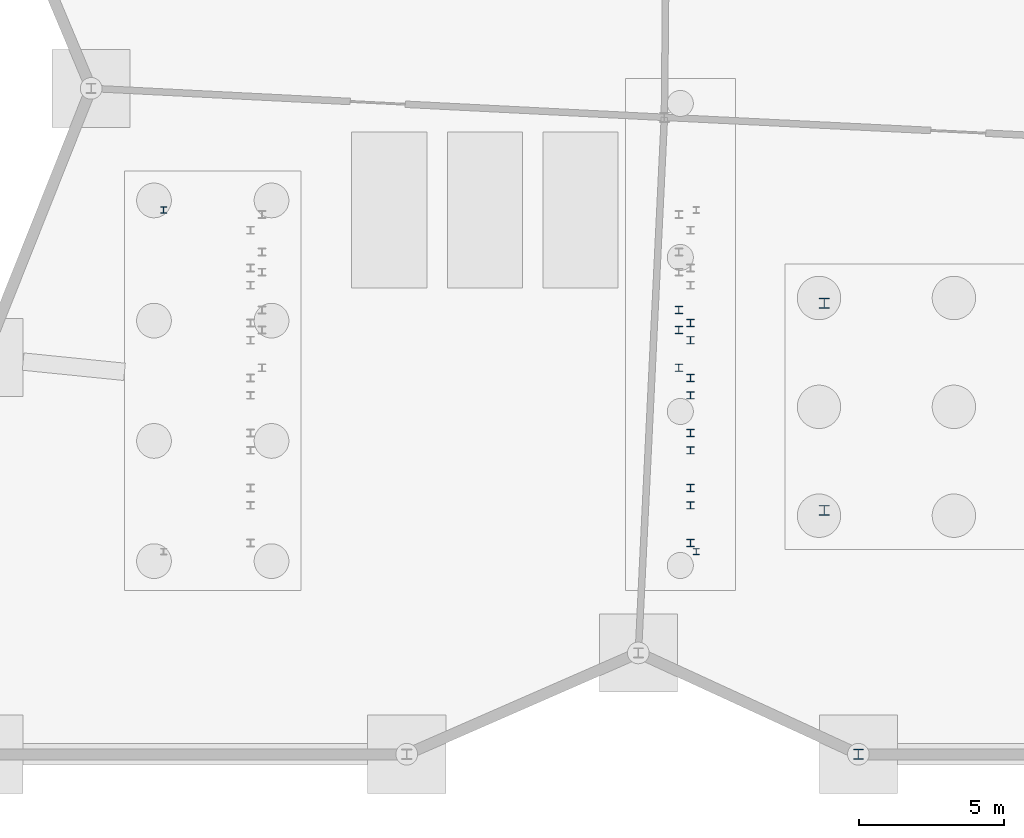
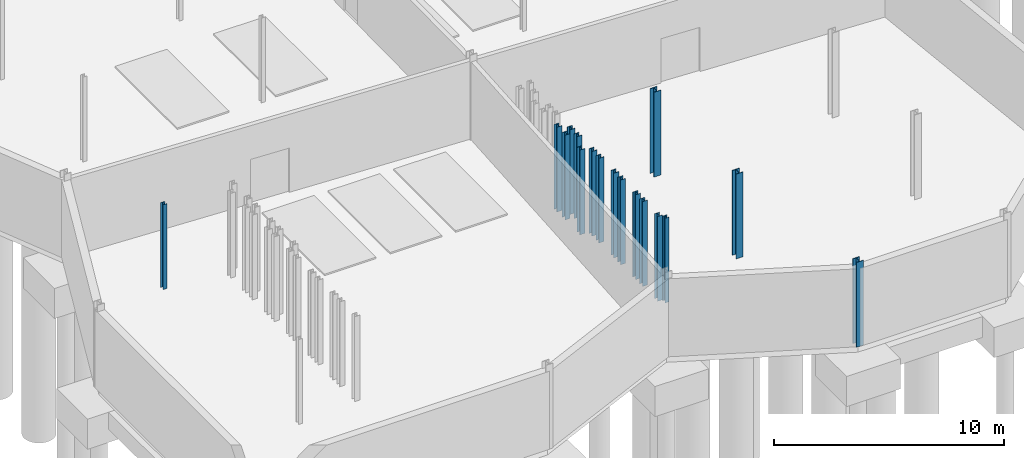
# One storey, part 5 of 37: 17 columns.
"""IFC4 building model written with IfcOpenShell, lengths in metres."""

from ifc_helpers import new_model, si_unit, direction, frame, origin, origin_2d, place, context, subcontext, project, spatial, i_section, extrude, material, material_profile, profile_set, type_object, element, save


model = new_model("IFC4")

# Units and contexts
model_context = context("Model", 3, precision=1e-05, world=origin(), true_north=direction((0.0, 1.0)))
body_context = subcontext(model_context, "Body", "Model", "MODEL_VIEW")
ifc_project = project(units=[si_unit("LENGTHUNIT", "METRE"), si_unit("AREAUNIT", "SQUARE_METRE"), si_unit("VOLUMEUNIT", "CUBIC_METRE"), si_unit("PLANEANGLEUNIT", "RADIAN"), si_unit("MASSUNIT", "GRAM", prefix="KILO")], contexts=[model_context])

# Site, building, storey
site_placement = place(None, origin())
site = spatial("IfcSite", under=ifc_project, at=site_placement, CompositionType="ELEMENT")
building_placement = place(site_placement, origin())
building = spatial("IfcBuilding", under=site, at=building_placement, Name="Tameran Prism Museum", CompositionType="ELEMENT")
storey_placement = place(building_placement, frame((0.0, 0.0, -4.5)))
storey = spatial("IfcBuildingStorey", under=building, at=storey_placement, Name="B1", CompositionType="ELEMENT", Elevation=-4.5)

# Columns
ifc_material_1 = material(Name="Steel Grade 300PLUS (300 MPa)", Category="steel")
ifc_material_profile_1 = material_profile(ifc_material_1, i_section(OverallWidth=0.205078125, OverallDepth=0.2099609375, WebThickness=0.00927734375, FlangeThickness=0.01416015625, FilletRadius=0.01025390625, at=origin_2d()))
ifc_profile_set_1 = profile_set([ifc_material_profile_1])
column_type_1 = type_object("IfcColumnType", Name="COL-UC200", PredefinedType="COLUMN", material=ifc_profile_set_1)
for number, where, z_axis, x_axis, name in (
    (1, (24.60009765625, 7.0, 0.0), (0.0, 0.0, 1.0), (1.0, 0.0, 0.0), "Column CA-02 B1"),
    (2, (6.199951171875, 18.800048828125, 0.0), (0.0, 0.0, 1.0), (1.0, 0.0, 0.0), "Column CA-03 B1"),
):
    element("IfcColumn", number, at=place(storey_placement, frame(where, z_axis=z_axis, x_axis=x_axis)), inside=storey, type_object=column_type_1, Name=name, PredefinedType="COLUMN", context=body_context, shape_type="SweptSolid", body=[
        extrude(i_section(OverallWidth=0.205078125, OverallDepth=0.2099609375, WebThickness=0.00927734375, FlangeThickness=0.01416015625, FilletRadius=0.01025390625, at=origin_2d()), origin(), (0.0, 0.0, 1.0), 4.5),
    ])
ifc_material_2 = material(Name="Steel Grade 300PLUS (300 MPa)", Category="steel")
ifc_material_profile_2 = material_profile(ifc_material_2, i_section(OverallWidth=0.25390625, OverallDepth=0.25390625, WebThickness=0.008544921875, FlangeThickness=0.01416015625, FilletRadius=0.0126953125, at=origin_2d()))
ifc_profile_set_2 = profile_set([ifc_material_profile_2])
column_type_2 = type_object("IfcColumnType", Name="COL-UC250B", PredefinedType="COLUMN", material=ifc_profile_set_2)
for number, where, z_axis, x_axis, name in (
    (3, (24.39990234375, 7.300048828125, 0.0), (0.0, 0.0, 1.0), (1.0, 0.0, 0.0), "Auditorium Subframe B1 Column CAT-B1-03"),
    (4, (24.39990234375, 8.60009765625, 0.0), (0.0, 0.0, 1.0), (1.0, 0.0, 0.0), "Auditorium Subframe B1 Column CAT-B1-04"),
    (5, (24.39990234375, 9.199951171875, 0.0), (0.0, 0.0, 1.0), (1.0, 0.0, 0.0), "Auditorium Subframe B1 Column CAT-B1-07"),
    (6, (24.39990234375, 10.5, 0.0), (0.0, 0.0, 1.0), (1.0, 0.0, 0.0), "Auditorium Subframe B1 Column CAT-B1-08"),
    (7, (24.39990234375, 11.10009765625, 0.0), (0.0, 0.0, 1.0), (1.0, 0.0, 0.0), "Auditorium Subframe B1 Column CAT-B1-11"),
    (8, (24.39990234375, 12.39990234375, 0.0), (0.0, 0.0, 1.0), (1.0, 0.0, 0.0), "Auditorium Subframe B1 Column CAT-B1-12"),
    (9, (24.39990234375, 13.0, 0.0), (0.0, 0.0, 1.0), (1.0, 0.0, 0.0), "Auditorium Subframe B1 Column CAT-B1-15"),
    (10, (24.39990234375, 14.300048828125, 0.0), (0.0, 0.0, 1.0), (1.0, 0.0, 0.0), "Auditorium Subframe B1 Column CAT-B1-16"),
    (11, (24.39990234375, 14.89990234375, 0.0), (0.0, 0.0, 1.0), (1.0, 0.0, 0.0), "Auditorium Subframe B1 Column CAT-B1-19"),
    (12, (24.0, 13.35009765625, 0.0), (0.0, 0.0, 1.0), (1.0, 0.0, 0.0), "Balcony Subframe B1 Column CAB-B1-27"),
    (13, (24.0, 14.64990234375, 0.0), (0.0, 0.0, 1.0), (1.0, 0.0, 0.0), "Balcony Subframe B1 Column CAB-B1-28"),
    (14, (24.0, 15.35009765625, 0.0), (0.0, 0.0, 1.0), (1.0, 0.0, 0.0), "Balcony Subframe B1 Column CAB-B1-31"),
):
    element("IfcColumn", number, at=place(storey_placement, frame(where, z_axis=z_axis, x_axis=x_axis)), inside=storey, type_object=column_type_2, Name=name, PredefinedType="COLUMN", context=body_context, shape_type="SweptSolid", body=[
        extrude(i_section(OverallWidth=0.25390625, OverallDepth=0.25390625, WebThickness=0.008544921875, FlangeThickness=0.01416015625, FilletRadius=0.0126953125, at=origin_2d()), origin(), (0.0, 0.0, 1.0), 4.5),
    ])
ifc_material_3 = material(Name="Steel Grade 350 (350 MPa)", Category="steel")
ifc_material_profile_3 = material_profile(ifc_material_3, i_section(OverallWidth=0.35009765625, OverallDepth=0.35009765625, WebThickness=0.02001953125, FlangeThickness=0.028076171875, at=origin_2d()))
ifc_profile_set_3 = profile_set([ifc_material_profile_3])
column_type_3 = type_object("IfcColumnType", Name="COL-WC350", PredefinedType="COLUMN", material=ifc_profile_set_3)
for number, where, z_axis, x_axis, name in (
    (15, (30.199951171875, 0.0, 0.0), (0.0, 0.0, 1.0), (1.0, 0.0, 0.0), "Column CV-18 B1"),
    (16, (29.02001953125, 8.419921875, 0.0), (0.0, 0.0, 1.0), (1.0, 0.0, 0.0), "Column CC-6-1 B1"),
    (17, (29.02001953125, 15.580078125, 0.0), (0.0, 0.0, 1.0), (1.0, 0.0, 0.0), "Column CC-6-4 B1"),
):
    element("IfcColumn", number, at=place(storey_placement, frame(where, z_axis=z_axis, x_axis=x_axis)), inside=storey, type_object=column_type_3, Name=name, PredefinedType="COLUMN", context=body_context, shape_type="SweptSolid", body=[
        extrude(i_section(OverallWidth=0.35009765625, OverallDepth=0.35009765625, WebThickness=0.02001953125, FlangeThickness=0.028076171875, at=origin_2d()), origin(), (0.0, 0.0, 1.0), 4.5),
    ])

save(model, "model.ifc")
